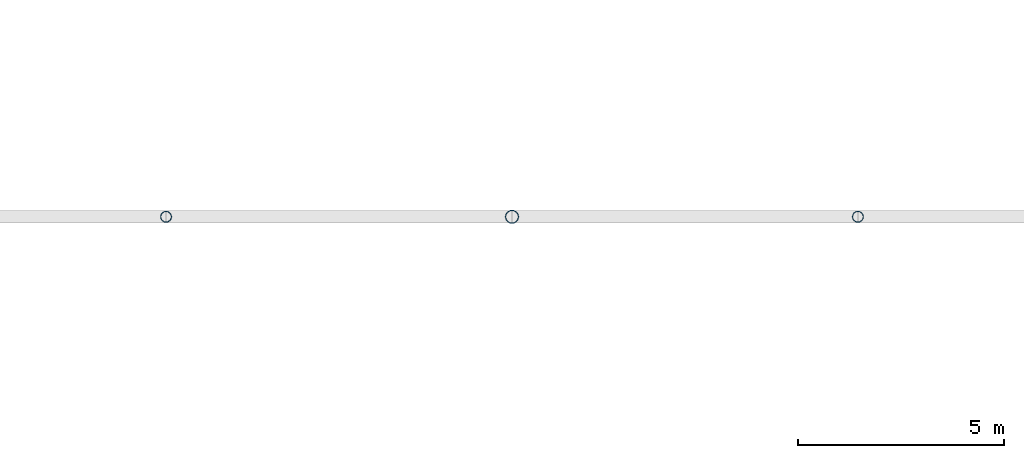
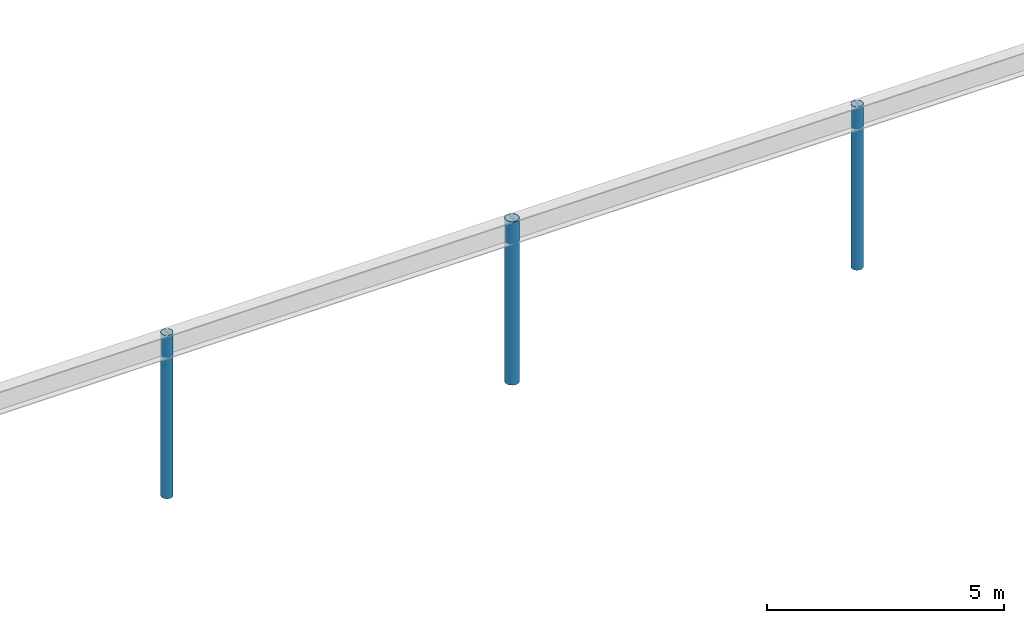
# One storey, part 16 of 218: 3 columns.
"""IFC4 building model written with IfcOpenShell, lengths in metres."""

from ifc_helpers import new_model, si_unit, direction, frame, origin, origin_2d, place, context, subcontext, project, spatial, hollow_circle, extrude, material, material_profile, profile_set, type_object, element, save


model = new_model("IFC4")

# Units and contexts
model_context = context("Model", 3, precision=1e-05, world=origin(), true_north=direction((0.0, 1.0)))
body_context = subcontext(model_context, "Body", "Model", "MODEL_VIEW")
ifc_project = project(units=[si_unit("LENGTHUNIT", "METRE"), si_unit("AREAUNIT", "SQUARE_METRE"), si_unit("VOLUMEUNIT", "CUBIC_METRE"), si_unit("PLANEANGLEUNIT", "RADIAN"), si_unit("MASSUNIT", "GRAM", prefix="KILO")], contexts=[model_context])

# Site, building, storey
site_placement = place(None, origin())
site = spatial("IfcSite", under=ifc_project, at=site_placement, CompositionType="ELEMENT")
building_placement = place(site_placement, origin())
building = spatial("IfcBuilding", under=site, at=building_placement, Name="Kazenagashi Tramway Depot", CompositionType="ELEMENT")
storey_placement = place(building_placement, frame((0.0, 0.0, 6.0)))
storey = spatial("IfcBuildingStorey", under=building, at=storey_placement, Name="L02", CompositionType="ELEMENT", Elevation=6.0)

# Columns
ifc_material = material(Name="Steel STK490", Category="steel")
ifc_material_profile_1 = material_profile(ifc_material, hollow_circle(Radius=0.1337, WallThickness=0.0093, at=origin_2d()), Name="CHS-267.4x9.3")
ifc_profile_set_1 = profile_set([ifc_material_profile_1], Name="Steel STK490")
column_type_1 = type_object("IfcColumnType", Name="C-14", PredefinedType="COLUMN", material=ifc_profile_set_1)
for number, where, z_axis, x_axis, name in (
    (1, (103.6, 100.0, 0.0), (0.0, 0.0, 1.0), (1.0, 0.0, 0.0), "Column C-14 COL-0046"),
    (2, (120.4, 100.0, 0.0), (0.0, 0.0, 1.0), (1.0, 0.0, 0.0), "Column C-14 COL-0058"),
):
    element("IfcColumn", number, at=place(storey_placement, frame(where, z_axis=z_axis, x_axis=x_axis)), inside=storey, type_object=column_type_1, Name=name, PredefinedType="COLUMN", context=body_context, shape_type="SweptSolid", body=[
        extrude(hollow_circle(Radius=0.1337, WallThickness=0.0093, at=origin_2d()), origin(), (0.0, 0.0, 1.0), 4.2),
    ])
ifc_material_profile_2 = material_profile(ifc_material, hollow_circle(Radius=0.15925, WallThickness=0.0103, at=origin_2d()), Name="CHS-318.5x10.3")
ifc_profile_set_2 = profile_set([ifc_material_profile_2], Name="Steel STK490")
column_type_2 = type_object("IfcColumnType", Name="C-18", PredefinedType="COLUMN", material=ifc_profile_set_2)
column_placement = place(storey_placement, frame((112.0, 100.0, 0.0), z_axis=(0.0, 0.0, 1.0), x_axis=(1.0, 0.0, 0.0)))
element("IfcColumn", 3, at=column_placement, inside=storey, type_object=column_type_2, Name="Column C-18 COL-0052", PredefinedType="COLUMN", context=body_context, shape_type="SweptSolid", body=[
    extrude(hollow_circle(Radius=0.15925, WallThickness=0.0103, at=origin_2d()), origin(), (0.0, 0.0, 1.0), 4.2),
])

save(model, "model.ifc")
